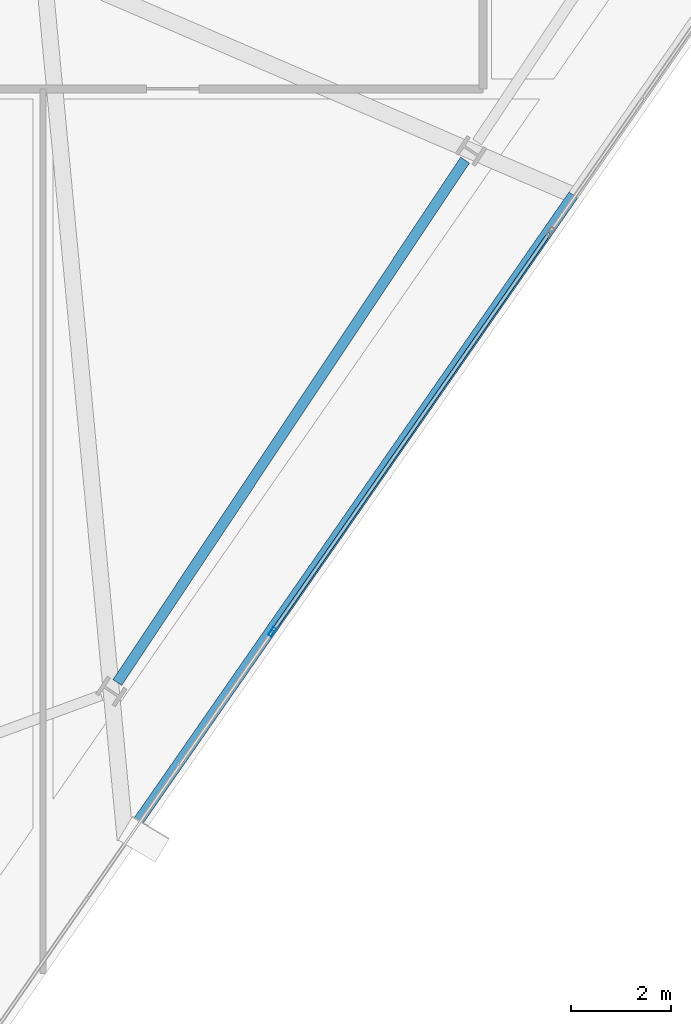
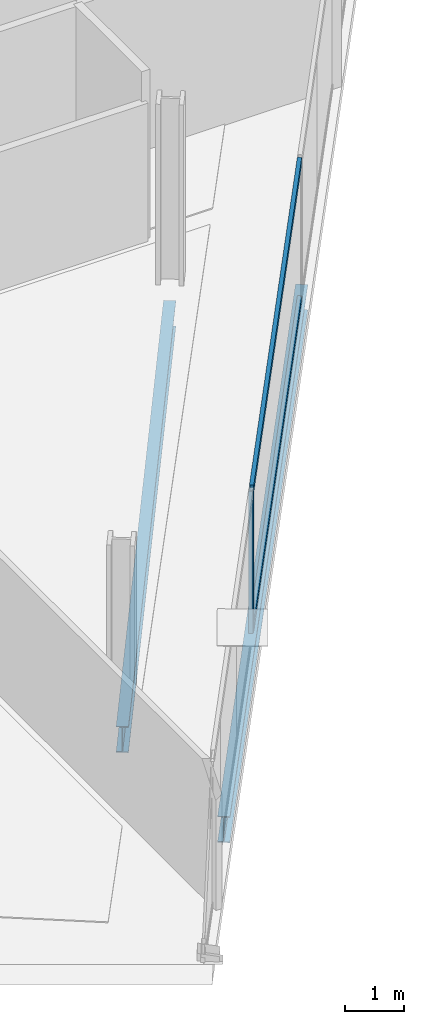
# One storey, part 10 of 30: 3 members, 2 beams, 1 element without a shape of its own.
"""IFC4 building model written with IfcOpenShell, lengths in metres."""

import ifcopenshell
import ifcopenshell.guid

model = None  # the IFC model being written
_history = None  # IfcOwnerHistory: only IFC2X3 demands one
_inside = {}  # id of a spatial element -> (the spatial element, [elements in it])
_under = {}  # id of a project, library or spatial element -> (it, [spatial elements below it])
_declared = {}  # id of a project -> (the project, [libraries it declares])
_typed = {}  # id of a type object -> (the type object, [elements of that type])
_made_of = {}  # id of a material, layer set ... -> (it, [elements and type objects made of it])


def new_model(schema):
    """Start an empty IFC model of exactly this schema.

    Asked for "IFC4X3", IfcOpenShell would pick the latest addendum, in which some entities
    have other attributes; the version numbers below select the first issue.
    IFC2X3 requires an IfcOwnerHistory on every rooted entity: one is made here for all.
    """
    global model, _history
    if schema == "IFC4X3":
        model = ifcopenshell.file(schema_version=(4, 3, 0, 0))
    else:
        model = ifcopenshell.file(schema=schema)
    _inside.clear()
    _under.clear()
    _declared.clear()
    _typed.clear()
    _made_of.clear()
    _history = None
    if model.schema == "IFC2X3":
        org = make("IfcOrganization", Name="unknown")
        user = make(
            "IfcPersonAndOrganization",
            ThePerson=make("IfcPerson", FamilyName="unknown"),
            TheOrganization=org,
        )
        app = make(
            "IfcApplication",
            ApplicationDeveloper=org,
            Version="unknown",
            ApplicationFullName="unknown",
            ApplicationIdentifier="unknown",
        )
        _history = make(
            "IfcOwnerHistory",
            OwningUser=user,
            OwningApplication=app,
            ChangeAction="ADDED",
            CreationDate=0,
        )
    return model


def make(cls, **values):
    """One entity of the class cls with the attributes given. An attribute that is None is left unset."""
    return model.create_entity(
        cls, **{name: value for name, value in values.items() if value is not None}
    )


def rooted(cls, **values):
    """An entity with a GlobalId (a new one), such as an element, a storey or a relation."""
    return make(cls, GlobalId=ifcopenshell.guid.new(), OwnerHistory=_history, **values)


def si_unit(unit_type, name, prefix=None):
    """IfcSIUnit, for example si_unit("LENGTHUNIT", "METRE", prefix="MILLI")."""
    return make("IfcSIUnit", UnitType=unit_type, Prefix=prefix, Name=name)


def assignment(units):
    """IfcUnitAssignment: the units of a project."""
    return None if units is None else make("IfcUnitAssignment", Units=units)


def point(xyz):
    """IfcCartesianPoint."""
    return None if xyz is None else make("IfcCartesianPoint", Coordinates=xyz)


def direction(xyz):
    """IfcDirection."""
    return None if xyz is None else make("IfcDirection", DirectionRatios=xyz)


def frame(location, z_axis=None, x_axis=None):
    """IfcAxis2Placement3D, a coordinate frame: its origin and axes. An axis left out is left unset."""
    return make(
        "IfcAxis2Placement3D",
        Location=point(location),
        Axis=direction(z_axis),
        RefDirection=direction(x_axis),
    )


def frame_2d(location, x_axis=None):
    """IfcAxis2Placement2D, a coordinate frame in the plane: its origin and x axis."""
    return make(
        "IfcAxis2Placement2D", Location=point(location), RefDirection=direction(x_axis)
    )


def origin():
    """The frame at (0, 0, 0) with its axes left unset."""
    return frame((0.0, 0.0, 0.0))


def origin_2d():
    """The frame at (0, 0) in the plane with its x axis left unset."""
    return frame_2d((0.0, 0.0))


def place(relative_to, where):
    """IfcLocalPlacement: puts the frame where relative to a parent placement (None: the world)."""
    return make(
        "IfcLocalPlacement", PlacementRelTo=relative_to, RelativePlacement=where
    )


def context(
    kind, dimensions, precision=None, world=None, true_north=None, identifier=None
):
    """IfcGeometricRepresentationContext, for example the 3D "Model" context."""
    return make(
        "IfcGeometricRepresentationContext",
        ContextIdentifier=identifier,
        ContextType=kind,
        CoordinateSpaceDimension=dimensions,
        Precision=precision,
        WorldCoordinateSystem=world,
        TrueNorth=true_north,
    )


def subcontext(parent, identifier, kind, view, scale=None):
    """IfcGeometricRepresentationSubContext, for example "Body" below "Model"."""
    return make(
        "IfcGeometricRepresentationSubContext",
        ContextIdentifier=identifier,
        ContextType=kind,
        ParentContext=parent,
        TargetScale=scale,
        TargetView=view,
    )


def project(units=None, contexts=None):
    """IfcProject with its units and contexts."""
    return rooted(
        "IfcProject",
        Name="project",
        RepresentationContexts=contexts,
        UnitsInContext=assignment(units),
    )


def spatial(cls, under=None, at=None, **own):
    """A site, building, storey or space (cls), placed at a placement, below another one or the project."""
    s = rooted(cls, ObjectPlacement=at, **own)
    if under is not None:
        _under.setdefault(under.id(), (under, []))[1].append(s)
    return s


def profile(cls, at=None, kind="AREA", **sizes):
    """A parametric profile (cls). Its sizes go by their IFC names, for example OverallWidth=200.0."""
    return make(cls, ProfileType=kind, Position=at, **sizes)


def hollow_rectangle(**sizes):
    """IfcRectangleHollowProfileDef."""
    return profile("IfcRectangleHollowProfileDef", **sizes)


def i_section(**sizes):
    """IfcIShapeProfileDef."""
    return profile("IfcIShapeProfileDef", **sizes)


def extrude(swept, where, along, depth):
    """IfcExtrudedAreaSolid: the profile swept, set in the frame where, extruded along a direction by depth."""
    return make(
        "IfcExtrudedAreaSolid",
        SweptArea=swept,
        Position=where,
        ExtrudedDirection=direction(along),
        Depth=depth,
    )


def shape(context_of_items, identifier, shape_type, items):
    """IfcShapeRepresentation: the items that make up one representation, for example the "Body"."""
    return make(
        "IfcShapeRepresentation",
        ContextOfItems=context_of_items,
        RepresentationIdentifier=identifier,
        RepresentationType=shape_type,
        Items=items,
    )


def material(Name=None, Category=None):
    """IfcMaterial."""
    return make("IfcMaterial", Name=Name, Category=Category)


def material_profile(
    of_material, cross_section, Name=None, Category=None, Priority=None
):
    """IfcMaterialProfile: a cross section and its material."""
    return make(
        "IfcMaterialProfile",
        Name=Name,
        Material=of_material,
        Profile=cross_section,
        Priority=Priority,
        Category=Category,
    )


def profile_set(profiles, Name=None, composite=None):
    """IfcMaterialProfileSet."""
    return make(
        "IfcMaterialProfileSet",
        Name=Name,
        MaterialProfiles=profiles,
        CompositeProfile=composite,
    )


def made_of(thing, what):
    """Note that an element or type object is made of a material, layer set ...; save() writes the relation."""
    if what is not None:
        _made_of.setdefault(what.id(), (what, []))[1].append(thing)
    return thing


def type_object(cls, material=None, **own):
    """A type object (cls), such as IfcWallType, which elements share."""
    return made_of(rooted(cls, **own), material)


def element(
    cls,
    number,
    at=None,
    inside=None,
    cuts=None,
    type_object=None,
    material=None,
    context=None,
    identifier="Body",
    shape_type=None,
    held_by="IfcProductDefinitionShape",
    body=None,
    shapes=None,
    **own,
):
    """One element of the class cls, such as IfcWall. Its Tag is "e" and its number.

    at: its placement. inside: the storey or other place that contains it. cuts: it is an
    opening in that element (IfcRelVoidsElement). A single representation is given by context,
    identifier, shape_type and body (its items); several are given by shapes. held_by: the class
    of the entity that holds the representations. save() writes the other relations.
    """
    e = rooted(cls, Tag="e%d" % number, ObjectPlacement=at, **own)
    if body is not None:
        shapes = [shape(context, identifier, shape_type, body)]
    if shapes is not None:
        e.Representation = make(held_by, Representations=shapes)
    if inside is not None:
        _inside.setdefault(inside.id(), (inside, []))[1].append(e)
    if cuts is not None:
        rooted(
            "IfcRelVoidsElement", RelatingBuildingElement=cuts, RelatedOpeningElement=e
        )
    if type_object is not None:
        _typed.setdefault(type_object.id(), (type_object, []))[1].append(e)
    return made_of(e, material)


def aggregate(whole, parts):
    """IfcRelAggregates: a whole, such as a stair, and the parts it consists of."""
    return rooted("IfcRelAggregates", RelatingObject=whole, RelatedObjects=parts)


def save(model, path):
    """Write the relations noted so far, then the file.

    IfcRelAggregates (storeys below a building ...), IfcRelContainedInSpatialStructure (elements
    in a storey), IfcRelDefinesByType, IfcRelAssociatesMaterial and IfcRelDeclares: one each for
    every whole, place, type object, material and project.
    """
    for whole, parts in _under.values():
        aggregate(whole, parts)
    for where, things in _inside.values():
        rooted(
            "IfcRelContainedInSpatialStructure",
            RelatedElements=things,
            RelatingStructure=where,
        )
    for kind, things in _typed.values():
        rooted("IfcRelDefinesByType", RelatedObjects=things, RelatingType=kind)
    for what, things in _made_of.values():
        rooted("IfcRelAssociatesMaterial", RelatedObjects=things, RelatingMaterial=what)
    for by, libraries in _declared.values():
        rooted("IfcRelDeclares", RelatingContext=by, RelatedDefinitions=libraries)
    model.write(path)


model = new_model("IFC4")

# Units and contexts
model_context = context("Model", 3, precision=1e-05, world=origin(), true_north=direction((0.0, 1.0)))
body_context = subcontext(model_context, "Body", "Model", "MODEL_VIEW")
ifc_project = project(units=[si_unit("LENGTHUNIT", "METRE"), si_unit("AREAUNIT", "SQUARE_METRE"), si_unit("VOLUMEUNIT", "CUBIC_METRE"), si_unit("PLANEANGLEUNIT", "RADIAN"), si_unit("MASSUNIT", "GRAM", prefix="KILO")], contexts=[model_context])

# Site, building, storey
site_placement = place(None, origin())
site = spatial("IfcSite", under=ifc_project, at=site_placement, CompositionType="ELEMENT")
building_placement = place(site_placement, origin())
building = spatial("IfcBuilding", under=site, at=building_placement, Name="Haldenkirk Collegiate Tower", CompositionType="ELEMENT")
storey_placement = place(building_placement, frame((0.0, 0.0, 213.449951171875)))
storey = spatial("IfcBuildingStorey", under=building, at=storey_placement, Name="L53", CompositionType="ELEMENT", Elevation=213.449951171875)

# Beams
ifc_material_1 = material(Name="Steel ASTM A992 Grade 50", Category="steel")
ifc_material_profile_1 = material_profile(ifc_material_1, i_section(OverallWidth=0.2099609375, OverallDepth=0.537109375, WebThickness=0.010986328125, FlangeThickness=0.017333984375, at=origin_2d()), Name="W21X68")
ifc_profile_set_1 = profile_set([ifc_material_profile_1], Name="Steel ASTM A992 Grade 50")
beam_type = type_object("IfcBeamType", Name="BM-SPANDREL-W21X68", PredefinedType="SPANDREL", material=ifc_profile_set_1)
beam_1_placement = place(storey_placement, frame((46.4833984375, 3.67041015625, -0.54833984375), z_axis=(0.554112521622, 0.832441777773, 0.0), x_axis=(-0.832441777773, 0.554112521622, 0.0)))
element("IfcBeam", 1, at=beam_1_placement, inside=storey, type_object=beam_type, Name="L53 perimeter spandrel beam 02", PredefinedType="SPANDREL", context=body_context, shape_type="SweptSolid", body=[
    extrude(i_section(OverallWidth=0.2099609375, OverallDepth=0.537109375, WebThickness=0.010986328125, FlangeThickness=0.017333984375, at=origin_2d()), origin(), (0.0, 0.0, 1.0), 12.561767578125),
])
beam_2_placement = place(storey_placement, frame((46.64208984375, 0.52099609375, -0.54833984375), z_axis=(0.570710770612, 0.821151153143, 0.0), x_axis=(-0.821151153143, 0.570710770612, 0.0)))
element("IfcBeam", 2, at=beam_2_placement, inside=storey, type_object=beam_type, Name="L53 outer facade edge beam 1A", PredefinedType="SPANDREL", context=body_context, shape_type="SweptSolid", body=[
    extrude(i_section(OverallWidth=0.2099609375, OverallDepth=0.537109375, WebThickness=0.010986328125, FlangeThickness=0.017333984375, at=origin_2d()), origin(), (0.0, 0.0, 1.0), 15.715576171875),
])

# Curtain wall, members
ifc_material_2 = material(Name="Anodised architectural bronze aluminium", Category="aluminium")
curtain_wall_type = type_object("IfcCurtainWallType", Name="CW-SYS2-CONCAVE", PredefinedType="USERDEFINED", material=ifc_material_2)
curtain_wall_placement = place(storey_placement, origin())
curtain_wall = element("IfcCurtainWall", 3, at=curtain_wall_placement, inside=storey, type_object=curtain_wall_type, Name="L53 South concave recessed bronze-anodised curtain wall", ObjectType="UNITISED CURTAIN WALL", PredefinedType="USERDEFINED")
ifc_material_profile_2 = material_profile(ifc_material_2, hollow_rectangle(XDim=0.074951171875, YDim=0.18994140625, WallThickness=0.0048828125, at=origin_2d()), Name="CW-MUL-02")
ifc_profile_set_2 = profile_set([ifc_material_profile_2], Name="Anodised architectural bronze aluminium")
member_type_1 = type_object("IfcMemberType", Name="CW-MUL-02", PredefinedType="MULLION", material=ifc_profile_set_2)
member_1_placement = place(storey_placement, frame((49.584716796875, 4.684814453125, 0.0), z_axis=(0.0, 0.0, 1.0), x_axis=(0.82114783118, -0.570715550295, 0.0)))
member_1 = element("IfcMember", 4, at=member_1_placement, type_object=member_type_1, Name="CW-02 mullion 4", PredefinedType="MULLION", context=body_context, shape_type="SweptSolid", body=[
    extrude(hollow_rectangle(XDim=0.074951171875, YDim=0.18994140625, WallThickness=0.0048828125, at=origin_2d()), origin(), (0.0, 0.0, 1.0), 2.927978515625),
])
ifc_material_profile_3 = material_profile(ifc_material_2, hollow_rectangle(XDim=0.074951171875, YDim=0.159912109375, WallThickness=0.0048828125, at=origin_2d()), Name="CW-TRN-02")
ifc_profile_set_3 = profile_set([ifc_material_profile_3], Name="Anodised architectural bronze aluminium")
member_type_2 = type_object("IfcMemberType", Name="CW-TRN-02", PredefinedType="USERDEFINED", material=ifc_profile_set_3)
member_2_placement = place(storey_placement, frame((55.127685546875, 12.66015625, 0.03759765625), z_axis=(-0.570703627797, -0.821156117446, 0.0), x_axis=(0.821156117446, -0.570703627797, 0.0)))
member_2 = element("IfcMember", 5, at=member_2_placement, type_object=member_type_2, Name="CW-02 transom 3.1", ObjectType="TRANSOM", PredefinedType="USERDEFINED", context=body_context, shape_type="SweptSolid", body=[
    extrude(hollow_rectangle(XDim=0.074951171875, YDim=0.159912109375, WallThickness=0.0048828125, at=origin_2d()), origin(), (0.0, 0.0, 1.0), 9.6748046875),
])
member_3_placement = place(storey_placement, frame((55.127685546875, 12.66015625, 2.890625), z_axis=(-0.570703627797, -0.821156117446, 0.0), x_axis=(0.821156117446, -0.570703627797, 0.0)))
member_3 = element("IfcMember", 6, at=member_3_placement, type_object=member_type_2, Name="CW-02 transom 3.2", ObjectType="TRANSOM", PredefinedType="USERDEFINED", context=body_context, shape_type="SweptSolid", body=[
    extrude(hollow_rectangle(XDim=0.074951171875, YDim=0.159912109375, WallThickness=0.0048828125, at=origin_2d()), origin(), (0.0, 0.0, 1.0), 9.6748046875),
])
aggregate(curtain_wall, [member_1, member_2, member_3])

save(model, "model.ifc")
